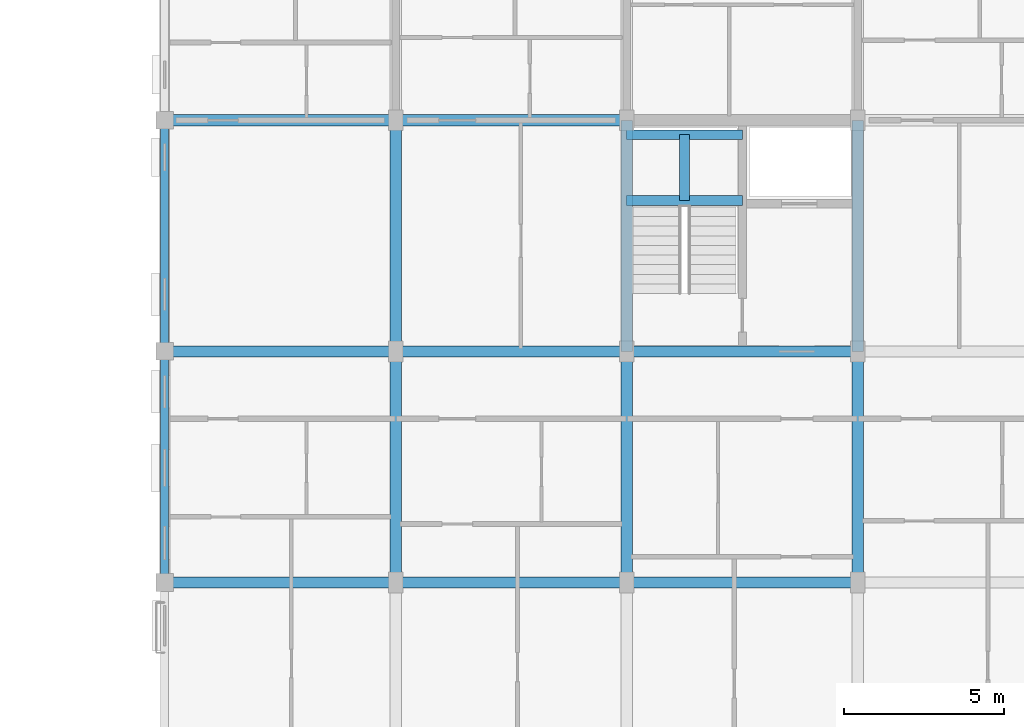
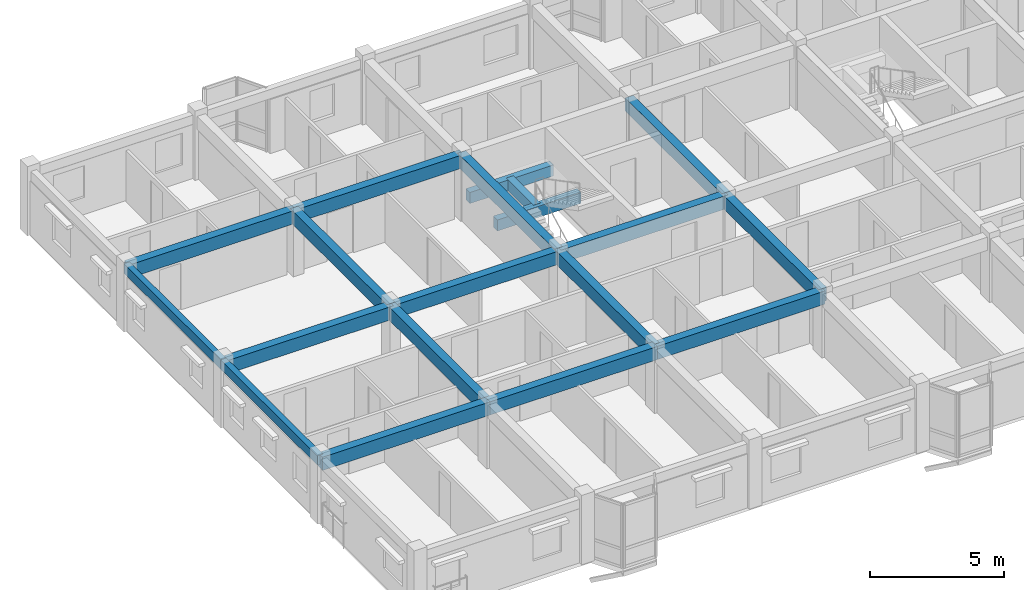
# One storey, part 31 of 75: 19 beams.
"""IFC4 building model written with IfcOpenShell, lengths in metres."""

from ifc_helpers import new_model, si_unit, direction, frame, origin, origin_2d, place, context, subcontext, project, spatial, rectangle, extrude, material, material_profile, profile_set, type_object, element, save


model = new_model("IFC4")

# Units and contexts
model_context = context("Model", 3, precision=1e-05, world=origin(), true_north=direction((0.0, 1.0)))
body_context = subcontext(model_context, "Body", "Model", "MODEL_VIEW")
ifc_project = project(units=[si_unit("LENGTHUNIT", "METRE"), si_unit("AREAUNIT", "SQUARE_METRE"), si_unit("VOLUMEUNIT", "CUBIC_METRE"), si_unit("PLANEANGLEUNIT", "RADIAN"), si_unit("MASSUNIT", "GRAM", prefix="KILO"), si_unit("THERMODYNAMICTEMPERATUREUNIT", "KELVIN"), si_unit("POWERUNIT", "WATT")], contexts=[model_context])

# Site, building, storey
site_placement = place(None, origin())
site = spatial("IfcSite", under=ifc_project, at=site_placement, CompositionType="ELEMENT")
building_placement = place(site_placement, origin())
building = spatial("IfcBuilding", under=site, at=building_placement, Name="Tavuni Mirador Residences", CompositionType="ELEMENT")
storey_placement = place(building_placement, frame((0.0, 0.0, 20.25)))
storey = spatial("IfcBuildingStorey", under=building, at=storey_placement, Name="L06", CompositionType="ELEMENT", Elevation=20.25)

# Beams
ifc_material = material(Name="Precast concrete C40/50", Category="concrete")
ifc_material_profile_1 = material_profile(ifc_material, rectangle(XDim=0.300048828125, YDim=0.5, at=origin_2d()), Name="PC 300x500", Category="concrete")
ifc_profile_set_1 = profile_set([ifc_material_profile_1], Name="Precast concrete C40/50")
beam_type_1 = type_object("IfcBeamType", Name="BT-B500", PredefinedType="BEAM", material=ifc_profile_set_1)
for number, where, z_axis, x_axis, name in (
    (1, (25.199951171875, 163.10009765625, 1.14501953125), (1.0, 0.0, 0.0), (0.0, 1.0, 0.0), "HLB1-C5-L06"),
    (2, (25.199951171875, 165.14990234375, 1.14501953125), (1.0, 0.0, 0.0), (0.0, 1.0, 0.0), "HLB2-C5-L06"),
):
    element("IfcBeam", number, at=place(storey_placement, frame(where, z_axis=z_axis, x_axis=x_axis)), inside=storey, type_object=beam_type_1, Name=name, PredefinedType="BEAM", context=body_context, shape_type="SweptSolid", body=[
        extrude(rectangle(XDim=0.300048828125, YDim=0.5, at=origin_2d()), origin(), (0.0, 0.0, 1.0), 3.60009765625),
    ])
beam_1_placement = place(storey_placement, frame((27.0, 163.10009765625, 1.14501953125), z_axis=(0.0, 1.0, 0.0), x_axis=(-1.0, 0.0, 0.0)))
element("IfcBeam", 3, at=beam_1_placement, inside=storey, type_object=beam_type_1, Name="HLB3-C5-L06", PredefinedType="BEAM", context=body_context, shape_type="SweptSolid", body=[
    extrude(rectangle(XDim=0.300048828125, YDim=0.5, at=origin_2d()), origin(), (0.0, 0.0, 1.0), 2.0498046875),
])
ifc_material_profile_2 = material_profile(ifc_material, rectangle(XDim=0.35009765625, YDim=0.60009765625, at=origin_2d()), Name="PC 350x600", Category="concrete")
ifc_profile_set_2 = profile_set([ifc_material_profile_2], Name="Precast concrete C40/50")
beam_type_2 = type_object("IfcBeamType", Name="BT-B600", PredefinedType="BEAM", material=ifc_profile_set_2)
for number, where, z_axis, x_axis, name in (
    (4, (10.800048828125, 151.199951171875, 2.5849609375), (1.0, 0.0, 0.0), (0.0, 1.0, 0.0), "BMX-BLK-C-L06-00-01"),
    (5, (18.0, 151.199951171875, 2.5849609375), (1.0, 0.0, 0.0), (0.0, 1.0, 0.0), "BMX-BLK-C-L06-01-01"),
    (6, (25.199951171875, 151.199951171875, 2.5849609375), (1.0, 0.0, 0.0), (0.0, 1.0, 0.0), "BMX-BLK-C-L06-02-01"),
    (7, (10.800048828125, 158.39990234375, 2.5849609375), (1.0, 0.0, 0.0), (0.0, 1.0, 0.0), "BMX-BLK-C-L06-00-02"),
    (8, (18.0, 158.39990234375, 2.5849609375), (1.0, 0.0, 0.0), (0.0, 1.0, 0.0), "BMX-BLK-C-L06-01-02"),
    (9, (25.199951171875, 158.39990234375, 2.5849609375), (1.0, 0.0, 0.0), (0.0, 1.0, 0.0), "BMX-BLK-C-L06-02-02"),
    (10, (10.800048828125, 165.60009765625, 2.5849609375), (1.0, 0.0, 0.0), (0.0, 1.0, 0.0), "BMX-BLK-C-L06-00-03"),
    (11, (18.0, 165.60009765625, 2.5849609375), (1.0, 0.0, 0.0), (0.0, 1.0, 0.0), "BMX-BLK-C-L06-01-03"),
    (12, (18.0, 151.199951171875, 2.5849609375), (0.0, 1.0, 0.0), (-1.0, 0.0, 0.0), "BMY-BLK-C-L06-01-01"),
):
    element("IfcBeam", number, at=place(storey_placement, frame(where, z_axis=z_axis, x_axis=x_axis)), inside=storey, type_object=beam_type_2, Name=name, PredefinedType="BEAM", context=body_context, shape_type="SweptSolid", body=[
        extrude(rectangle(XDim=0.35009765625, YDim=0.60009765625, at=origin_2d()), origin(), (0.0, 0.0, 1.0), 7.199951171875),
    ])
beam_2_placement = place(storey_placement, frame((18.0, 158.39990234375, 2.5849609375), z_axis=(0.0, 1.0, 0.0), x_axis=(-1.0, 0.0, 0.0)))
element("IfcBeam", 13, at=beam_2_placement, inside=storey, type_object=beam_type_2, Name="BMY-BLK-C-L06-01-02", PredefinedType="BEAM", context=body_context, shape_type="SweptSolid", body=[
    extrude(rectangle(XDim=0.35009765625, YDim=0.60009765625, at=origin_2d()), origin(), (0.0, 0.0, 1.0), 7.2001953125),
])
beam_3_placement = place(storey_placement, frame((25.199951171875, 151.199951171875, 2.5849609375), z_axis=(0.0, 1.0, 0.0), x_axis=(-1.0, 0.0, 0.0)))
element("IfcBeam", 14, at=beam_3_placement, inside=storey, type_object=beam_type_2, Name="BMY-BLK-C-L06-02-01", PredefinedType="BEAM", context=body_context, shape_type="SweptSolid", body=[
    extrude(rectangle(XDim=0.35009765625, YDim=0.60009765625, at=origin_2d()), origin(), (0.0, 0.0, 1.0), 7.199951171875),
])
beam_4_placement = place(storey_placement, frame((25.199951171875, 158.39990234375, 2.5849609375), z_axis=(0.0, 1.0, 0.0), x_axis=(-1.0, 0.0, 0.0)))
element("IfcBeam", 15, at=beam_4_placement, inside=storey, type_object=beam_type_2, Name="BMY-BLK-C-L06-02-02", PredefinedType="BEAM", context=body_context, shape_type="SweptSolid", body=[
    extrude(rectangle(XDim=0.35009765625, YDim=0.60009765625, at=origin_2d()), origin(), (0.0, 0.0, 1.0), 7.2001953125),
])
beam_5_placement = place(storey_placement, frame((32.39990234375, 151.199951171875, 2.5849609375), z_axis=(0.0, 1.0, 0.0), x_axis=(-1.0, 0.0, 0.0)))
element("IfcBeam", 16, at=beam_5_placement, inside=storey, type_object=beam_type_2, Name="BMY-BLK-C-L06-03-01", PredefinedType="BEAM", context=body_context, shape_type="SweptSolid", body=[
    extrude(rectangle(XDim=0.35009765625, YDim=0.60009765625, at=origin_2d()), origin(), (0.0, 0.0, 1.0), 7.199951171875),
])
beam_6_placement = place(storey_placement, frame((32.39990234375, 158.39990234375, 2.5849609375), z_axis=(0.0, 1.0, 0.0), x_axis=(-1.0, 0.0, 0.0)))
element("IfcBeam", 17, at=beam_6_placement, inside=storey, type_object=beam_type_2, Name="BMY-BLK-C-L06-03-02", PredefinedType="BEAM", context=body_context, shape_type="SweptSolid", body=[
    extrude(rectangle(XDim=0.35009765625, YDim=0.60009765625, at=origin_2d()), origin(), (0.0, 0.0, 1.0), 7.2001953125),
])
ifc_material_profile_3 = material_profile(ifc_material, rectangle(XDim=0.25, YDim=0.419921875, at=origin_2d()), Name="PC 250x420", Category="concrete")
ifc_profile_set_3 = profile_set([ifc_material_profile_3], Name="Precast concrete C40/50")
beam_type_3 = type_object("IfcBeamType", Name="BT-SP420", PredefinedType="SPANDREL", material=ifc_profile_set_3)
beam_7_placement = place(storey_placement, frame((10.800048828125, 151.199951171875, 2.675048828125), z_axis=(0.0, 1.0, 0.0), x_axis=(-1.0, 0.0, 0.0)))
element("IfcBeam", 18, at=beam_7_placement, inside=storey, type_object=beam_type_3, Name="BMY-BLK-C-L06-00-01", PredefinedType="SPANDREL", context=body_context, shape_type="SweptSolid", body=[
    extrude(rectangle(XDim=0.25, YDim=0.419921875, at=origin_2d()), origin(), (0.0, 0.0, 1.0), 7.199951171875),
])
beam_8_placement = place(storey_placement, frame((10.800048828125, 158.39990234375, 2.675048828125), z_axis=(0.0, 1.0, 0.0), x_axis=(-1.0, 0.0, 0.0)))
element("IfcBeam", 19, at=beam_8_placement, inside=storey, type_object=beam_type_3, Name="BMY-BLK-C-L06-00-02", PredefinedType="SPANDREL", context=body_context, shape_type="SweptSolid", body=[
    extrude(rectangle(XDim=0.25, YDim=0.419921875, at=origin_2d()), origin(), (0.0, 0.0, 1.0), 7.2001953125),
])

save(model, "model.ifc")
